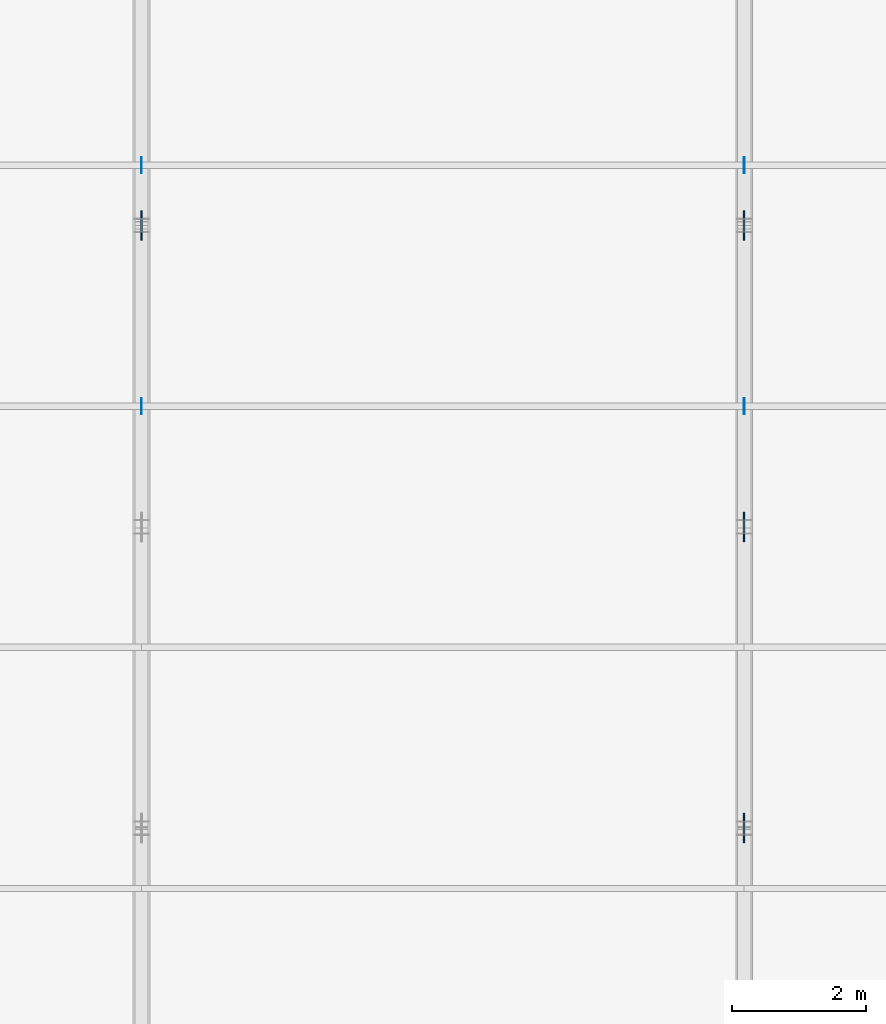
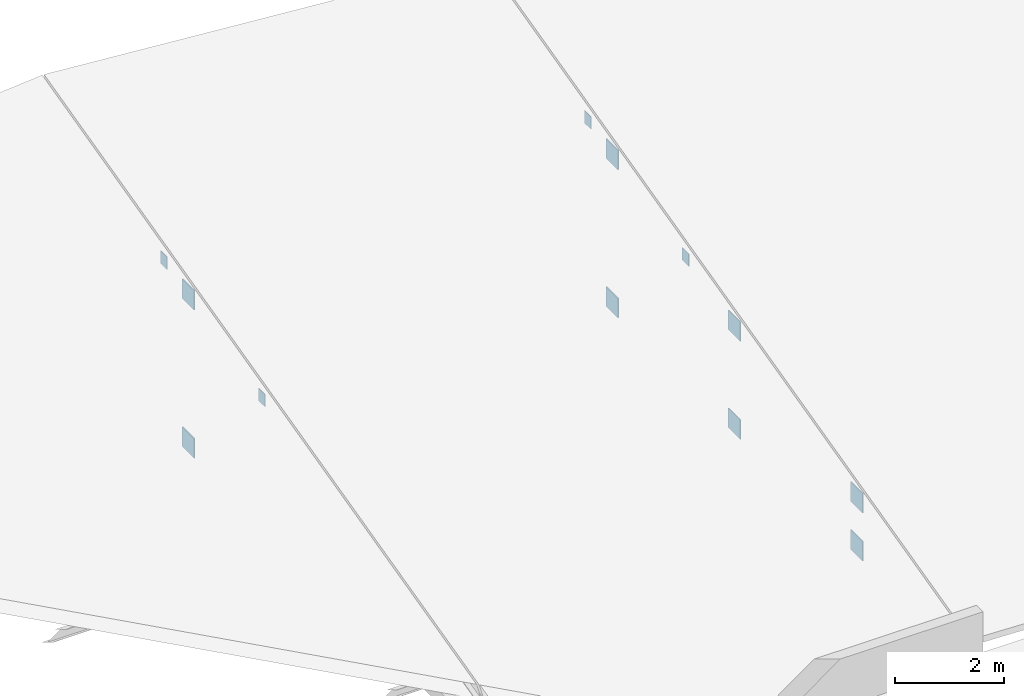
# One storey, part 23 of 36: 12 plates.
"""IFC4 building model written with IfcOpenShell, lengths in metres."""

from ifc_helpers import new_model, si_unit, direction, frame, origin, origin_2d, place, context, subcontext, project, spatial, rectangle, extrude, material, layer, layer_set, type_object, element, save


model = new_model("IFC4")

# Units and contexts
model_context = context("Model", 3, precision=1e-05, world=origin(), true_north=direction((0.0, 1.0)))
body_context = subcontext(model_context, "Body", "Model", "MODEL_VIEW")
ifc_project = project(units=[si_unit("LENGTHUNIT", "METRE"), si_unit("AREAUNIT", "SQUARE_METRE"), si_unit("VOLUMEUNIT", "CUBIC_METRE"), si_unit("PLANEANGLEUNIT", "RADIAN"), si_unit("MASSUNIT", "GRAM", prefix="KILO")], contexts=[model_context])

# Site, building, storey
site_placement = place(None, origin())
site = spatial("IfcSite", under=ifc_project, at=site_placement, CompositionType="ELEMENT")
building_placement = place(site_placement, origin())
building = spatial("IfcBuilding", under=site, at=building_placement, Name="Montelvaro Courts of Justice", CompositionType="ELEMENT")
storey_placement = place(building_placement, frame((0.0, 0.0, 23.39990234375)))
storey = spatial("IfcBuildingStorey", under=building, at=storey_placement, Name="L05", CompositionType="ELEMENT", Elevation=23.39990234375)

# Plates
ifc_material = material(Name="Steel S355", Category="steel")
ifc_layer_1 = layer(ifc_material, 0.011962890625)
ifc_layer_set_1 = layer_set([ifc_layer_1], Name="Steel S355")
plate_type_1 = type_object("IfcPlateType", Name="EndCapPlate_12", PredefinedType="USERDEFINED", material=ifc_layer_set_1)
for number, where, z_axis, x_axis, name in (
    (1, (117.0, 88.800048828125, 2.2099609375), (0.0, 0.0, 1.0), (1.0, 0.0, 0.0), "Purlin End Cap Plate CP-01 02-3M-B"),
    (2, (117.0, 92.39990234375, 3.10986328125), (0.0, 0.0, 1.0), (1.0, 0.0, 0.0), "Purlin End Cap Plate CP-01 02-4M-B"),
    (3, (126.0, 88.800048828125, 2.2099609375), (0.0, 0.0, 1.0), (1.0, 0.0, 0.0), "Purlin End Cap Plate CP-01 03-3M-B"),
    (4, (126.0, 92.39990234375, 3.10986328125), (0.0, 0.0, 1.0), (1.0, 0.0, 0.0), "Purlin End Cap Plate CP-01 03-4M-B"),
):
    element("IfcPlate", number, at=place(storey_placement, frame(where, z_axis=z_axis, x_axis=x_axis)), inside=storey, type_object=plate_type_1, Name=name, ObjectType="GUSSET PLATE", PredefinedType="USERDEFINED", context=body_context, shape_type="SweptSolid", body=[
        extrude(rectangle(XDim=0.011962890625, YDim=0.239990234375, at=origin_2d()), origin(), (0.0, 0.0, 1.0), 0.280029296875),
    ])
ifc_layer_2 = layer(ifc_material, 0.02001953125)
ifc_layer_set_2 = layer_set([ifc_layer_2], Name="Steel S355")
plate_type_2 = type_object("IfcPlateType", Name="GussetPlate_20", PredefinedType="USERDEFINED", material=ifc_layer_set_2)
for number, where, z_axis, x_axis, name in (
    (5, (117.0, 91.5, -0.519775390625), (0.0, 0.0, 1.0), (1.0, 0.0, 0.0), "Roof Truss Gusset Plate GP-01 ROOF-V2-VTR03-3B"),
    (6, (117.0, 91.5, 2.80517578125), (0.0, 0.0, 1.0), (1.0, 0.0, 0.0), "Roof Truss Gusset Plate GP-01 ROOF-V2-VTR03-3T"),
    (7, (126.0, 82.5, -0.519775390625), (0.0, 0.0, 1.0), (1.0, 0.0, 0.0), "Roof Truss Gusset Plate GP-01 ROOF-V2-VTR04-1B"),
    (8, (126.0, 82.5, 0.55517578125), (0.0, 0.0, 1.0), (1.0, 0.0, 0.0), "Roof Truss Gusset Plate GP-01 ROOF-V2-VTR04-1T"),
    (9, (126.0, 87.0, -0.519775390625), (0.0, 0.0, 1.0), (1.0, 0.0, 0.0), "Roof Truss Gusset Plate GP-01 ROOF-V2-VTR04-2B"),
    (10, (126.0, 87.0, 1.68017578125), (0.0, 0.0, 1.0), (1.0, 0.0, 0.0), "Roof Truss Gusset Plate GP-01 ROOF-V2-VTR04-2T"),
    (11, (126.0, 91.5, -0.519775390625), (0.0, 0.0, 1.0), (1.0, 0.0, 0.0), "Roof Truss Gusset Plate GP-01 ROOF-V2-VTR04-3B"),
    (12, (126.0, 91.5, 2.80517578125), (0.0, 0.0, 1.0), (1.0, 0.0, 0.0), "Roof Truss Gusset Plate GP-01 ROOF-V2-VTR04-3T"),
):
    element("IfcPlate", number, at=place(storey_placement, frame(where, z_axis=z_axis, x_axis=x_axis)), inside=storey, type_object=plate_type_2, Name=name, ObjectType="GUSSET PLATE", PredefinedType="USERDEFINED", context=body_context, shape_type="SweptSolid", body=[
        extrude(rectangle(XDim=0.02001953125, YDim=0.43994140625, at=origin_2d()), origin(), (0.0, 0.0, 1.0), 0.43994140625),
    ])

save(model, "model.ifc")
